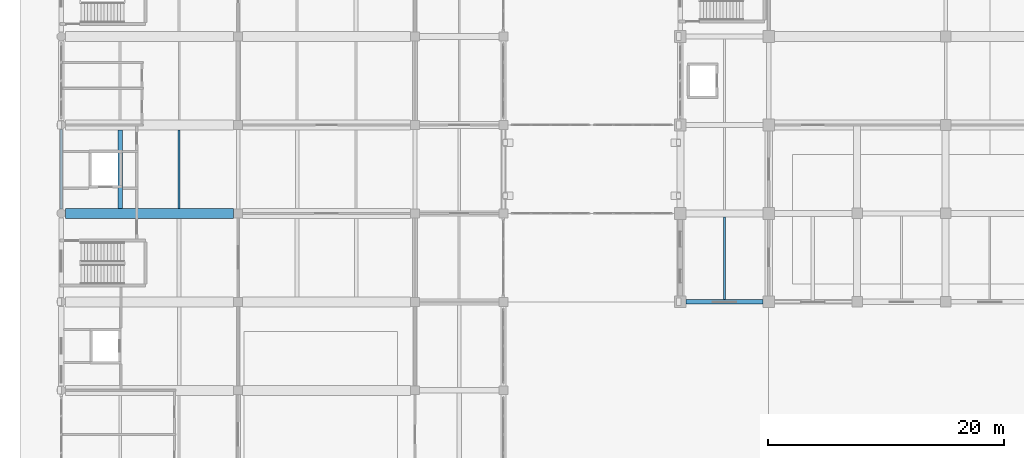
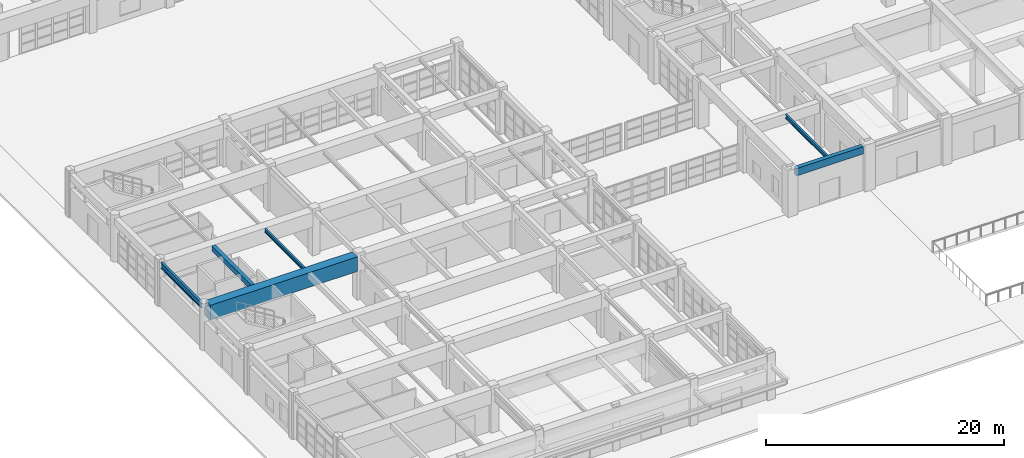
# One storey, part 10 of 122: 6 beams.
"""IFC4 building model written with IfcOpenShell, lengths in metres."""

from ifc_helpers import new_model, si_unit, direction, frame, origin, origin_2d, place, context, subcontext, project, spatial, rectangle, i_section, extrude, material, material_profile, profile_set, type_object, element, save


model = new_model("IFC4")

# Units and contexts
model_context = context("Model", 3, precision=1e-05, world=origin(), true_north=direction((0.0, 1.0)))
body_context = subcontext(model_context, "Body", "Model", "MODEL_VIEW")
ifc_project = project(units=[si_unit("LENGTHUNIT", "METRE"), si_unit("AREAUNIT", "SQUARE_METRE"), si_unit("VOLUMEUNIT", "CUBIC_METRE"), si_unit("PLANEANGLEUNIT", "RADIAN"), si_unit("MASSUNIT", "GRAM", prefix="KILO")], contexts=[model_context])

# Site, building, storey
site_placement = place(None, origin())
site = spatial("IfcSite", under=ifc_project, at=site_placement, CompositionType="ELEMENT")
building_placement = place(site_placement, origin())
building = spatial("IfcBuilding", under=site, at=building_placement, Name="Qasida Concert Hall", CompositionType="ELEMENT")
storey_placement = place(building_placement, origin())
storey = spatial("IfcBuildingStorey", under=building, at=storey_placement, Name="L00", CompositionType="ELEMENT", Elevation=0.0)

# Beams
ifc_material_1 = material(Name="Steel S355J2", Category="steel")
ifc_material_profile_1 = material_profile(ifc_material_1, i_section(OverallWidth=0.169921875, OverallDepth=0.360107421875, WebThickness=0.008056640625, FlangeThickness=0.0126953125, FilletRadius=0.01806640625, at=origin_2d()), Name="IPE 360")
ifc_profile_set_1 = profile_set([ifc_material_profile_1], Name="Steel S355J2")
beam_type_1 = type_object("IfcBeamType", Name="BM-J2", PredefinedType="JOIST", material=ifc_profile_set_1)
beam_1_placement = place(storey_placement, frame((10.0, 30.425048828125, 4.320068359375), z_axis=(0.0, 1.0, 0.0), x_axis=(-1.0, 0.0, 0.0)))
element("IfcBeam", 1, at=beam_1_placement, inside=storey, type_object=beam_type_1, Name="L00 secondary joist 0568", PredefinedType="JOIST", context=body_context, shape_type="SweptSolid", body=[
    extrude(i_section(OverallWidth=0.169921875, OverallDepth=0.360107421875, WebThickness=0.008056640625, FlangeThickness=0.0126953125, FilletRadius=0.01806640625, at=origin_2d()), origin(), (0.0, 0.0, 1.0), 6.64990234375),
])
ifc_material_profile_2 = material_profile(ifc_material_1, i_section(OverallWidth=0.179931640625, OverallDepth=0.39990234375, WebThickness=0.008544921875, FlangeThickness=0.013427734375, FilletRadius=0.02099609375, at=origin_2d()), Name="IPE 400")
ifc_profile_set_2 = profile_set([ifc_material_profile_2], Name="Steel S355J2")
beam_type_2 = type_object("IfcBeamType", Name="BM-J3", PredefinedType="JOIST", material=ifc_profile_set_2)
beam_2_placement = place(storey_placement, frame((56.25, 22.699951171875, 4.300048828125), z_axis=(0.0, 1.0, 0.0), x_axis=(-1.0, 0.0, 0.0)))
element("IfcBeam", 2, at=beam_2_placement, inside=storey, type_object=beam_type_2, Name="L00 secondary joist 0442", PredefinedType="JOIST", context=body_context, shape_type="SweptSolid", body=[
    extrude(i_section(OverallWidth=0.179931640625, OverallDepth=0.39990234375, WebThickness=0.008544921875, FlangeThickness=0.013427734375, FilletRadius=0.02099609375, at=origin_2d()), origin(), (0.0, 0.0, 1.0), 7.010009765625),
])
ifc_material_2 = material(Name="Concrete C40/50", Category="concrete")
ifc_material_profile_3 = material_profile(ifc_material_2, rectangle(XDim=0.35009765625, YDim=0.550048828125, at=origin_2d()), Name="RC 350x550")
ifc_profile_set_3 = profile_set([ifc_material_profile_3], Name="Concrete C40/50")
beam_type_3 = type_object("IfcBeamType", Name="BM-J8", PredefinedType="JOIST", material=ifc_profile_set_3)
beam_3_placement = place(storey_placement, frame((5.0, 30.425048828125, 4.22509765625), z_axis=(0.0, 1.0, 0.0), x_axis=(-1.0, 0.0, 0.0)))
element("IfcBeam", 3, at=beam_3_placement, inside=storey, type_object=beam_type_3, Name="L00 secondary joist 0567", PredefinedType="JOIST", context=body_context, shape_type="SweptSolid", body=[
    extrude(rectangle(XDim=0.35009765625, YDim=0.550048828125, at=origin_2d()), origin(), (0.0, 0.0, 1.0), 6.64990234375),
])
ifc_material_profile_4 = material_profile(ifc_material_2, rectangle(XDim=0.39990234375, YDim=0.75, at=origin_2d()), Name="RC 400x750")
ifc_profile_set_4 = profile_set([ifc_material_profile_4], Name="Concrete C40/50")
beam_type_4 = type_object("IfcBeamType", Name="BM-SP1", PredefinedType="SPANDREL", material=ifc_profile_set_4)
beam_4_placement = place(storey_placement, frame((53.0, 22.5, 4.125), z_axis=(1.0, 0.0, 0.0), x_axis=(0.0, 1.0, 0.0)))
element("IfcBeam", 4, at=beam_4_placement, inside=storey, type_object=beam_type_4, Name="Primary girder 0351", PredefinedType="SPANDREL", context=body_context, shape_type="SweptSolid", body=[
    extrude(rectangle(XDim=0.39990234375, YDim=0.75, at=origin_2d()), origin(), (0.0, 0.0, 1.0), 6.5),
])
ifc_material_profile_5 = material_profile(ifc_material_1, i_section(OverallWidth=0.219970703125, OverallDepth=0.60009765625, WebThickness=0.011962890625, FlangeThickness=0.01904296875, FilletRadius=0.02392578125, at=origin_2d()), Name="IPE 600")
ifc_profile_set_5 = profile_set([ifc_material_profile_5], Name="Steel S355J2")
beam_type_5 = type_object("IfcBeamType", Name="BM-SP3", PredefinedType="SPANDREL", material=ifc_profile_set_5)
beam_5_placement = place(storey_placement, frame((0.0, 30.375, 4.199951171875), z_axis=(0.0, 1.0, 0.0), x_axis=(-1.0, 0.0, 0.0)))
element("IfcBeam", 5, at=beam_5_placement, inside=storey, type_object=beam_type_5, Name="L00 girder 0536", PredefinedType="SPANDREL", context=body_context, shape_type="SweptSolid", body=[
    extrude(i_section(OverallWidth=0.219970703125, OverallDepth=0.60009765625, WebThickness=0.011962890625, FlangeThickness=0.01904296875, FilletRadius=0.02392578125, at=origin_2d()), origin(), (0.0, 0.0, 1.0), 6.75),
])
ifc_material_3 = material(Name="Concrete C50/60", Category="concrete")
ifc_material_profile_6 = material_profile(ifc_material_3, rectangle(XDim=0.85009765625, YDim=1.5, at=origin_2d()), Name="RC 850x1500")
ifc_profile_set_6 = profile_set([ifc_material_profile_6], Name="Concrete C50/60")
beam_type_6 = type_object("IfcBeamType", Name="BM-TG2", PredefinedType="USERDEFINED", material=ifc_profile_set_6)
beam_6_placement = place(storey_placement, frame((0.375, 30.0, 3.75), z_axis=(1.0, 0.0, 0.0), x_axis=(0.0, 1.0, 0.0)))
element("IfcBeam", 6, at=beam_6_placement, inside=storey, type_object=beam_type_6, Name="Transfer girder TG-0520", ObjectType="GIRDER", PredefinedType="USERDEFINED", context=body_context, shape_type="SweptSolid", body=[
    extrude(rectangle(XDim=0.85009765625, YDim=1.5, at=origin_2d()), origin(), (0.0, 0.0, 1.0), 14.25),
])

save(model, "model.ifc")
